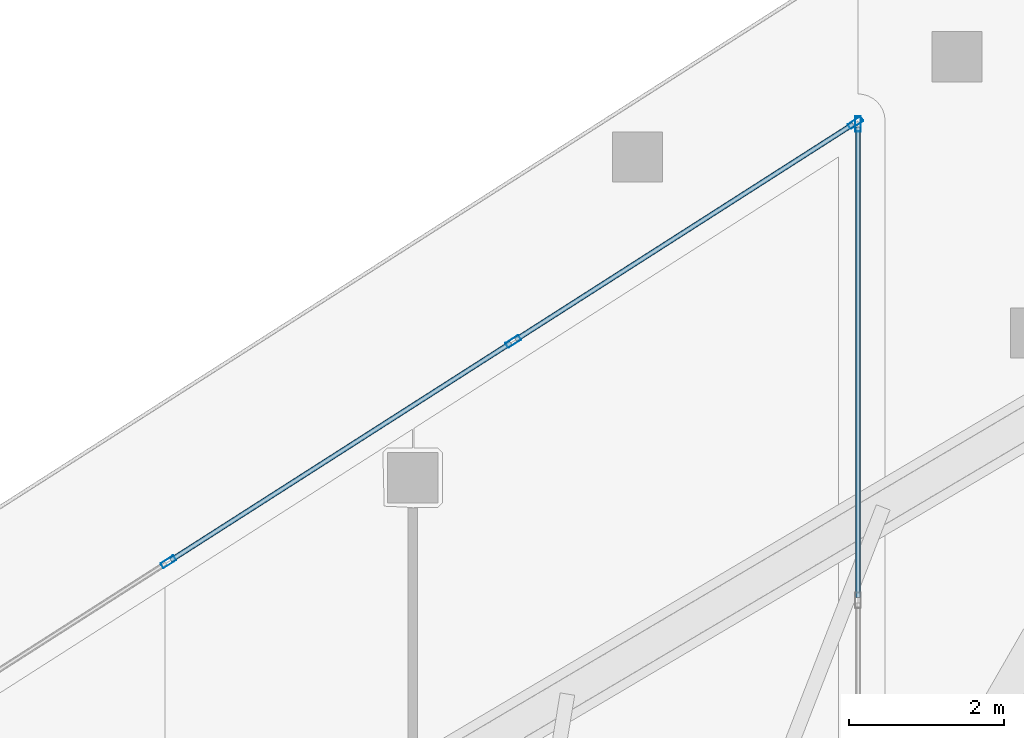
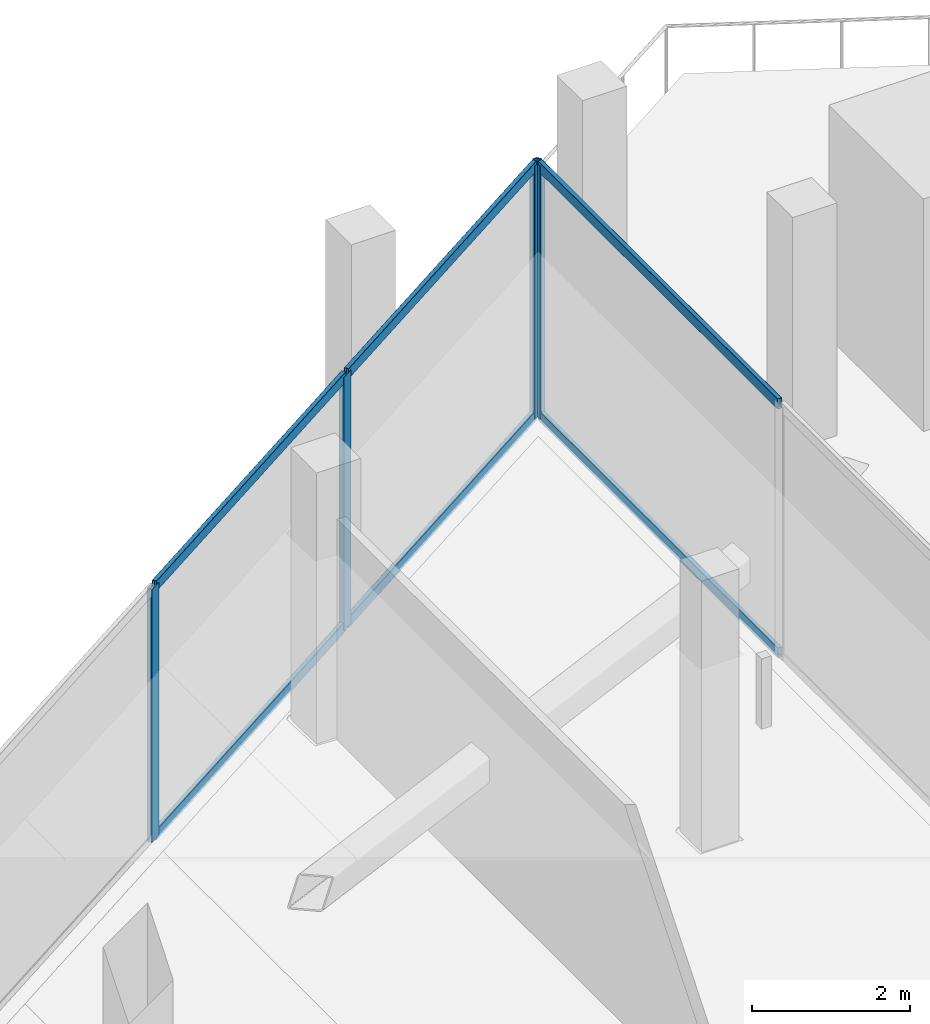
# One storey, part 20 of 47: 10 members, 2 elements without a shape of their own.
"""IFC4 building model written with IfcOpenShell, lengths in metres."""

from ifc_helpers import new_model, si_unit, direction, frame, origin, origin_2d, place, context, subcontext, project, spatial, hollow_rectangle, extrude, material, layer, layer_set, material_profile, profile_set, type_object, element, aggregate, save


model = new_model("IFC4")

# Units and contexts
model_context = context("Model", 3, precision=1e-05, world=origin(), true_north=direction((0.0, 1.0)))
body_context = subcontext(model_context, "Body", "Model", "MODEL_VIEW")
ifc_project = project(units=[si_unit("LENGTHUNIT", "METRE"), si_unit("AREAUNIT", "SQUARE_METRE"), si_unit("VOLUMEUNIT", "CUBIC_METRE"), si_unit("PLANEANGLEUNIT", "RADIAN"), si_unit("MASSUNIT", "GRAM", prefix="KILO")], contexts=[model_context])

# Site, building, storey
site_placement = place(None, origin())
site = spatial("IfcSite", under=ifc_project, at=site_placement, CompositionType="ELEMENT")
building_placement = place(site_placement, origin())
building = spatial("IfcBuilding", under=site, at=building_placement, Name="Qorvath Tower", CompositionType="ELEMENT")
storey_placement = place(building_placement, frame((0.0, 0.0, 74.39990234375)))
storey = spatial("IfcBuildingStorey", under=building, at=storey_placement, Name="L16", CompositionType="ELEMENT", Elevation=74.39990234375)

# Curtain wall, member
ifc_material_1 = material(Name="Anodised aluminium and triple low-E glass", Category="aluminium")
ifc_layer = layer(ifc_material_1, 0.179931640625)
ifc_layer_set = layer_set([ifc_layer], Name="CW-SYS-5")
curtain_wall_type = type_object("IfcCurtainWallType", Name="CW-SYS-5", PredefinedType="NOTDEFINED", material=ifc_layer_set)
curtain_wall_1_placement = place(storey_placement, origin())
curtain_wall_1 = element("IfcCurtainWall", 1, at=curtain_wall_1_placement, inside=storey, type_object=curtain_wall_type, Name="Curtain Wall CW-5 CW-T-L16-3.1", PredefinedType="NOTDEFINED")
ifc_material_2 = material(Name="Anodised aluminium 6063-T6", Category="aluminium")
ifc_material_profile_1 = material_profile(ifc_material_2, hollow_rectangle(XDim=0.074951171875, YDim=0.199951171875, WallThickness=0.00390625, InnerFilletRadius=0.00390625, OuterFilletRadius=0.008056640625, at=origin_2d()), Name="CWM 200x75")
ifc_profile_set_1 = profile_set([ifc_material_profile_1], Name="Anodised aluminium 6063-T6")
member_type_1 = type_object("IfcMemberType", Name="CWM-200", PredefinedType="MULLION", material=ifc_profile_set_1)
member_1_placement = place(storey_placement, frame((-19.280029296875, 29.632080078125, 0.0), z_axis=(0.0, 0.0, 1.0), x_axis=(-1.0, 0.0, 0.0)))
member_1 = element("IfcMember", 2, at=member_1_placement, type_object=member_type_1, Name="CW-5 mullion 3", PredefinedType="MULLION", context=body_context, shape_type="SweptSolid", body=[
    extrude(hollow_rectangle(XDim=0.074951171875, YDim=0.199951171875, WallThickness=0.00390625, InnerFilletRadius=0.00390625, OuterFilletRadius=0.008056640625, at=origin_2d()), origin(), (0.0, 0.0, 1.0), 3.920166015625),
])

# Curtain wall, members
curtain_wall_2_placement = place(storey_placement, origin())
curtain_wall_2 = element("IfcCurtainWall", 3, at=curtain_wall_2_placement, inside=storey, type_object=curtain_wall_type, Name="Curtain Wall CW-5 CW-T-L16-4.1", PredefinedType="NOTDEFINED")
member_2_placement = place(storey_placement, frame((-19.3115234375, 29.6494140625, 0.0), z_axis=(0.0, 0.0, 1.0), x_axis=(0.538533373675, -0.842604180763, 0.0)))
member_2 = element("IfcMember", 4, at=member_2_placement, type_object=member_type_1, Name="CW-5 mullion 1", PredefinedType="MULLION", context=body_context, shape_type="SweptSolid", body=[
    extrude(hollow_rectangle(XDim=0.074951171875, YDim=0.199951171875, WallThickness=0.00390625, InnerFilletRadius=0.00390625, OuterFilletRadius=0.008056640625, at=origin_2d()), origin(), (0.0, 0.0, 1.0), 3.920166015625),
])
member_3_placement = place(storey_placement, frame((-23.7373046875, 26.82080078125, 0.0), z_axis=(0.0, 0.0, 1.0), x_axis=(0.538533373675, -0.842604180763, 0.0)))
member_3 = element("IfcMember", 5, at=member_3_placement, type_object=member_type_1, Name="CW-5 mullion 2", PredefinedType="MULLION", context=body_context, shape_type="SweptSolid", body=[
    extrude(hollow_rectangle(XDim=0.074951171875, YDim=0.199951171875, WallThickness=0.00390625, InnerFilletRadius=0.00390625, OuterFilletRadius=0.008056640625, at=origin_2d()), origin(), (0.0, 0.0, 1.0), 3.920166015625),
])
member_4_placement = place(storey_placement, frame((-28.194580078125, 23.97216796875, 0.0), z_axis=(0.0, 0.0, 1.0), x_axis=(0.538533373675, -0.842604180763, 0.0)))
member_4 = element("IfcMember", 6, at=member_4_placement, type_object=member_type_1, Name="CW-5 mullion 3", PredefinedType="MULLION", context=body_context, shape_type="SweptSolid", body=[
    extrude(hollow_rectangle(XDim=0.074951171875, YDim=0.199951171875, WallThickness=0.00390625, InnerFilletRadius=0.00390625, OuterFilletRadius=0.008056640625, at=origin_2d()), origin(), (0.0, 0.0, 1.0), 3.920166015625),
])

# Member
ifc_material_3 = material(Name="Anodised aluminium 6063-T6", Category="aluminium")
ifc_material_profile_2 = material_profile(ifc_material_3, hollow_rectangle(XDim=0.06494140625, YDim=0.159912109375, WallThickness=0.00341796875, InnerFilletRadius=0.00341796875, OuterFilletRadius=0.007080078125, at=origin_2d()), Name="CWT 160x65")
ifc_profile_set_2 = profile_set([ifc_material_profile_2], Name="Anodised aluminium 6063-T6")
member_type_2 = type_object("IfcMemberType", Name="CWT-160", PredefinedType="USERDEFINED", material=ifc_profile_set_2)
member_5_placement = place(storey_placement, frame((-19.280029296875, 23.512451171875, 0.032470703125), z_axis=(0.0, 1.0, 0.0), x_axis=(-1.0, 0.0, 0.0)))
member_5 = element("IfcMember", 7, at=member_5_placement, type_object=member_type_2, Name="CW-5 transom 2.1", ObjectType="TRANSOM", PredefinedType="USERDEFINED", context=body_context, shape_type="SweptSolid", body=[
    extrude(hollow_rectangle(XDim=0.06494140625, YDim=0.159912109375, WallThickness=0.00341796875, InnerFilletRadius=0.00341796875, OuterFilletRadius=0.007080078125, at=origin_2d()), origin(), (0.0, 0.0, 1.0), 6.082275390625),
])

member_6_placement = place(storey_placement, frame((-19.280029296875, 23.512451171875, 3.8876953125), z_axis=(0.0, 1.0, 0.0), x_axis=(-1.0, 0.0, 0.0)))
member_6 = element("IfcMember", 8, at=member_6_placement, type_object=member_type_2, Name="CW-5 transom 2.2", ObjectType="TRANSOM", PredefinedType="USERDEFINED", context=body_context, shape_type="SweptSolid", body=[
    extrude(hollow_rectangle(XDim=0.06494140625, YDim=0.159912109375, WallThickness=0.00341796875, InnerFilletRadius=0.00341796875, OuterFilletRadius=0.007080078125, at=origin_2d()), origin(), (0.0, 0.0, 1.0), 6.082275390625),
])

aggregate(curtain_wall_1, [member_1, member_5, member_6])

member_7_placement = place(storey_placement, frame((-19.34326171875, 29.62939453125, 0.032470703125), z_axis=(-0.842595813472, -0.538546465144, 0.0), x_axis=(0.538546465144, -0.842595813472, 0.0)))
member_7 = element("IfcMember", 9, at=member_7_placement, type_object=member_type_2, Name="CW-5 transom 1.1", ObjectType="TRANSOM", PredefinedType="USERDEFINED", context=body_context, shape_type="SweptSolid", body=[
    extrude(hollow_rectangle(XDim=0.06494140625, YDim=0.159912109375, WallThickness=0.00341796875, InnerFilletRadius=0.00341796875, OuterFilletRadius=0.007080078125, at=origin_2d()), origin(), (0.0, 0.0, 1.0), 5.177490234375),
])

member_8_placement = place(storey_placement, frame((-19.34326171875, 29.62939453125, 3.8876953125), z_axis=(-0.842595813472, -0.538546465144, 0.0), x_axis=(0.538546465144, -0.842595813472, 0.0)))
member_8 = element("IfcMember", 10, at=member_8_placement, type_object=member_type_2, Name="CW-5 transom 1.2", ObjectType="TRANSOM", PredefinedType="USERDEFINED", context=body_context, shape_type="SweptSolid", body=[
    extrude(hollow_rectangle(XDim=0.06494140625, YDim=0.159912109375, WallThickness=0.00341796875, InnerFilletRadius=0.00341796875, OuterFilletRadius=0.007080078125, at=origin_2d()), origin(), (0.0, 0.0, 1.0), 5.177490234375),
])

member_9_placement = place(storey_placement, frame((-23.768798828125, 26.80078125, 0.032470703125), z_axis=(-0.842597719137, -0.538543483579, 0.0), x_axis=(0.538543483579, -0.842597719137, 0.0)))
member_9 = element("IfcMember", 11, at=member_9_placement, type_object=member_type_2, Name="CW-5 transom 2.1", ObjectType="TRANSOM", PredefinedType="USERDEFINED", context=body_context, shape_type="SweptSolid", body=[
    extrude(hollow_rectangle(XDim=0.06494140625, YDim=0.159912109375, WallThickness=0.00341796875, InnerFilletRadius=0.00341796875, OuterFilletRadius=0.007080078125, at=origin_2d()), origin(), (0.0, 0.0, 1.0), 5.215087890625),
])

member_10_placement = place(storey_placement, frame((-23.768798828125, 26.80078125, 3.8876953125), z_axis=(-0.842597719137, -0.538543483579, 0.0), x_axis=(0.538543483579, -0.842597719137, 0.0)))
member_10 = element("IfcMember", 12, at=member_10_placement, type_object=member_type_2, Name="CW-5 transom 2.2", ObjectType="TRANSOM", PredefinedType="USERDEFINED", context=body_context, shape_type="SweptSolid", body=[
    extrude(hollow_rectangle(XDim=0.06494140625, YDim=0.159912109375, WallThickness=0.00341796875, InnerFilletRadius=0.00341796875, OuterFilletRadius=0.007080078125, at=origin_2d()), origin(), (0.0, 0.0, 1.0), 5.215087890625),
])

aggregate(curtain_wall_2, [member_2, member_3, member_4, member_7, member_8, member_9, member_10])

save(model, "model.ifc")
